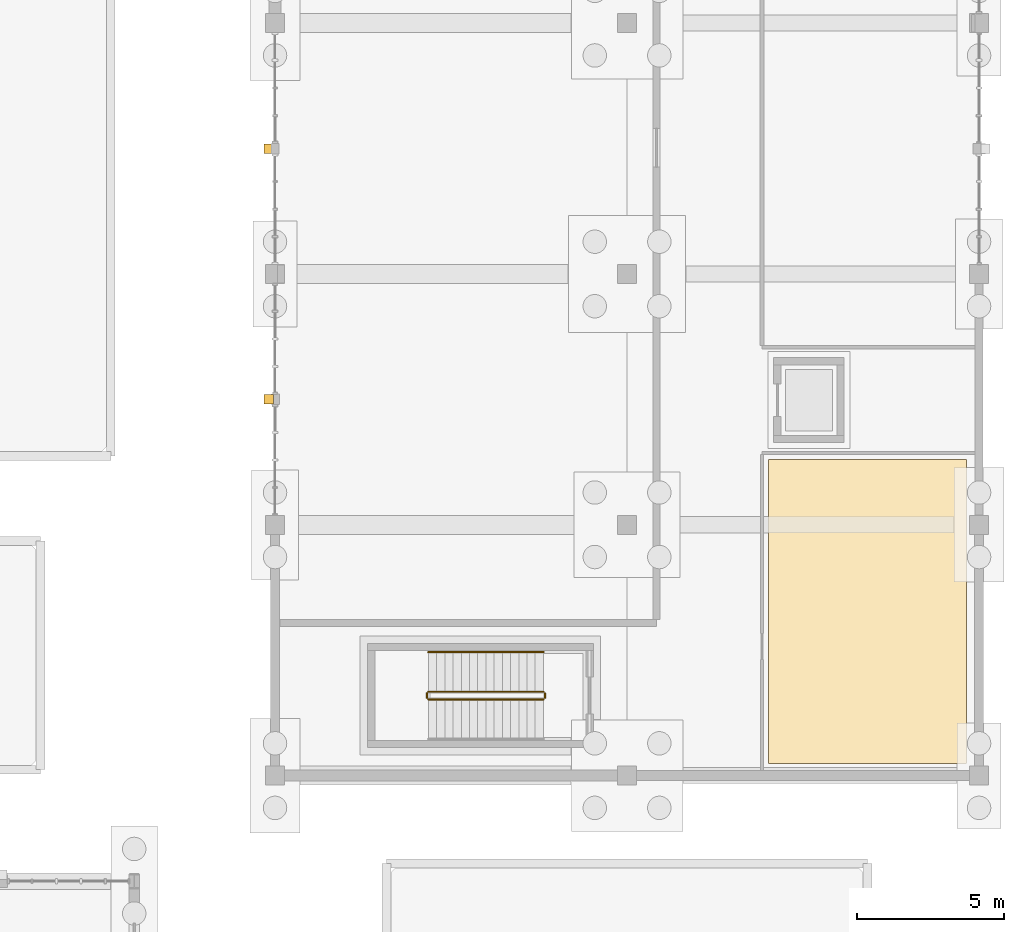
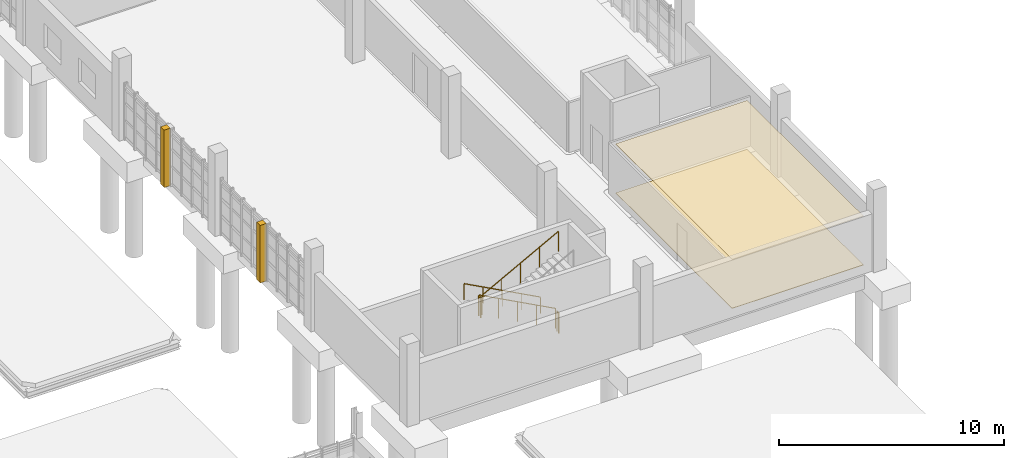
# One storey, part 122 of 125: 5 railings, 4 coverings.
"""IFC4 building model written with IfcOpenShell, lengths in metres."""

from ifc_helpers import new_model, si_unit, direction, frame, origin, origin_2d, place, context, subcontext, project, spatial, polyline, circle, outline, extrude, material, layer, layer_set, type_object, element, save


model = new_model("IFC4")

# Units and contexts
model_context = context("Model", 3, precision=1e-05, world=origin(), true_north=direction((0.0, 1.0)))
body_context = subcontext(model_context, "Body", "Model", "MODEL_VIEW")
ifc_project = project(units=[si_unit("LENGTHUNIT", "METRE"), si_unit("AREAUNIT", "SQUARE_METRE"), si_unit("VOLUMEUNIT", "CUBIC_METRE"), si_unit("PLANEANGLEUNIT", "RADIAN"), si_unit("MASSUNIT", "GRAM", prefix="KILO")], contexts=[model_context])

# Site, building, storey
site_placement = place(None, origin())
site = spatial("IfcSite", under=ifc_project, at=site_placement, CompositionType="ELEMENT")
building_placement = place(site_placement, origin())
building = spatial("IfcBuilding", under=site, at=building_placement, Name="Serraforn Aerial Cableway Station", CompositionType="ELEMENT")
storey_placement = place(building_placement, frame((0.0, 0.0, 4.5)))
storey = spatial("IfcBuildingStorey", under=building, at=storey_placement, Name="L01", CompositionType="ELEMENT", Elevation=4.5)

# Coverings
ifc_material_1 = material(Name="Fluted patinated bronze Art Deco pilaster cladding")
ifc_layer_1 = layer(ifc_material_1, 0.034912109375)
ifc_layer_set_1 = layer_set([ifc_layer_1], Name="Fluted patinated bronze Art Deco pilaster cladding")
covering_type_1 = type_object("IfcCoveringType", Name="COV-CLAD-BRZ", PredefinedType="CLADDING", material=ifc_layer_set_1)
covering_1_placement = place(storey_placement, origin())
element("IfcCovering", 1, at=covering_1_placement, inside=storey, type_object=covering_type_1, Name="Art Deco Bronze Pilaster Cladding EG-L01-W2", PredefinedType="CLADDING", context=body_context, shape_type="SweptSolid", body=[
    extrude(outline(polyline([(143.6201171875, 58.264892578125), (143.93994140625, 58.264892578125), (143.93994140625, 58.5849609375), (143.6201171875, 58.5849609375), (143.6201171875, 58.264892578125)])), origin(), (0.0, 0.0, 1.0), 3.1201171875),
])
covering_2_placement = place(storey_placement, origin())
element("IfcCovering", 2, at=covering_2_placement, inside=storey, type_object=covering_type_1, Name="Art Deco Bronze Pilaster Cladding EG-L01-W3", PredefinedType="CLADDING", context=body_context, shape_type="SweptSolid", body=[
    extrude(outline(polyline([(143.6201171875, 66.81494140625), (143.93994140625, 66.81494140625), (143.93994140625, 67.135009765625), (143.6201171875, 67.135009765625), (143.6201171875, 66.81494140625)])), origin(), (0.0, 0.0, 1.0), 3.1201171875),
])
ifc_material_2 = material(Name="Perforated acoustic mineral ceiling")
ifc_layer_2 = layer(ifc_material_2, 0.02490234375)
ifc_layer_set_2 = layer_set([ifc_layer_2], Name="Perforated acoustic mineral ceiling")
covering_type_2 = type_object("IfcCoveringType", Name="COV-CLG-AC", PredefinedType="CEILING", material=ifc_layer_set_2)
covering_3_placement = place(storey_placement, frame((0.0, 0.0, 2.659912109375)))
element("IfcCovering", 3, at=covering_3_placement, inside=storey, type_object=covering_type_2, Name="Suspended Ceiling L01-23", PredefinedType="CEILING", context=body_context, shape_type="SweptSolid", body=[
    extrude(outline(polyline([(160.820068359375, 46.02001953125), (160.820068359375, 56.3798828125), (167.580078125, 56.3798828125), (167.580078125, 46.02001953125), (160.820068359375, 46.02001953125)])), origin(), (0.0, 0.0, 1.0), 0.025146484375),
])
ifc_material_3 = material(Name="Catalan geometric terrazzo tile flooring")
ifc_layer_3 = layer(ifc_material_3, 0.02490234375)
ifc_layer_set_3 = layer_set([ifc_layer_3], Name="Catalan geometric terrazzo tile flooring")
covering_type_3 = type_object("IfcCoveringType", Name="COV-FLR-TER", PredefinedType="FLOORING", material=ifc_layer_set_3)
covering_4_placement = place(storey_placement, origin())
element("IfcCovering", 4, at=covering_4_placement, inside=storey, type_object=covering_type_3, Name="Flooring L01-23", PredefinedType="FLOORING", context=body_context, shape_type="SweptSolid", body=[
    extrude(outline(polyline([(160.820068359375, 46.02001953125), (160.820068359375, 56.3798828125), (167.580078125, 56.3798828125), (167.580078125, 46.02001953125), (160.820068359375, 46.02001953125)])), origin(), (0.0, 0.0, 1.0), 0.02490234375),
])

# Railings
ifc_material_4 = material(Name="Patinated bronze stair guardrail")
ifc_layer_4 = layer(ifc_material_4, 0.050048828125)
ifc_layer_set_4 = layer_set([ifc_layer_4], Name="Patinated bronze stair guardrail")
railing_type_1 = type_object("IfcRailingType", Name="RL-STR-GRD", PredefinedType="GUARDRAIL", material=ifc_layer_set_4)
railing_1_placement = place(storey_placement, frame((153.14990234375, 48.4599609375, 0.14990234375)))
element("IfcRailing", 5, at=railing_1_placement, inside=storey, type_object=railing_type_1, Name="L01 ST-10 stair guard 1", PredefinedType="GUARDRAIL", context=body_context, shape_type="SweptSolid", body=[
    extrude(circle(Radius=0.02392578125, at=origin_2d()), frame((0.0, 0.0, 1.076171875), z_axis=(-0.881466911329, 0.0, 0.472245787945), x_axis=(0.0, -1.0, 0.0)), (0.0, 0.0, 1.0), 4.447021484375),
    extrude(circle(Radius=0.02099609375, at=origin_2d()), origin(), (0.0, 0.0, 1.0), 1.052001953125),
    extrude(circle(Radius=0.02099609375, at=origin_2d()), frame((-0.97998046875, 0.0, 0.52490234375)), (0.0, 0.0, 1.0), 1.052001953125),
    extrude(circle(Radius=0.02099609375, at=origin_2d()), frame((-1.9599609375, 0.0, 1.050048828125)), (0.0, 0.0, 1.0), 1.052001953125),
    extrude(circle(Radius=0.02099609375, at=origin_2d()), frame((-2.93994140625, 0.0, 1.5751953125)), (0.0, 0.0, 1.0), 1.052001953125),
    extrude(circle(Radius=0.02099609375, at=origin_2d()), frame((-3.919921875, 0.0, 2.10009765625)), (0.0, 0.0, 1.0), 1.052001953125),
])
railing_2_placement = place(storey_placement, frame((149.179931640625, 48.409912109375, 2.25)))
element("IfcRailing", 6, at=railing_2_placement, inside=storey, type_object=railing_type_1, Name="L01 ST-10 stair guard 2", PredefinedType="GUARDRAIL", context=body_context, shape_type="SweptSolid", body=[
    extrude(circle(Radius=0.02392578125, at=origin_2d()), frame((0.0, 0.0, 1.076171875), z_axis=(0.0, -1.0, 0.0), x_axis=(1.0, 0.0, 0.0)), (0.0, 0.0, 1.0), 0.159912109375),
    extrude(circle(Radius=0.02099609375, at=origin_2d()), origin(), (0.0, 0.0, 1.0), 1.052001953125),
    extrude(circle(Radius=0.02099609375, at=origin_2d()), frame((0.0, -0.159912109375, 0.0)), (0.0, 0.0, 1.0), 1.052001953125),
])
railing_3_placement = place(storey_placement, frame((149.22998046875, 48.199951171875, 2.39990234375)))
element("IfcRailing", 7, at=railing_3_placement, inside=storey, type_object=railing_type_1, Name="L01 ST-10 stair guard 3", PredefinedType="GUARDRAIL", context=body_context, shape_type="SweptSolid", body=[
    extrude(circle(Radius=0.02392578125, at=origin_2d()), frame((0.0, 0.0, 1.076171875), z_axis=(0.881466911329, 0.0, 0.472245787945), x_axis=(0.0, 1.0, 0.0)), (0.0, 0.0, 1.0), 4.447021484375),
    extrude(circle(Radius=0.02099609375, at=origin_2d()), origin(), (0.0, 0.0, 1.0), 1.052001953125),
    extrude(circle(Radius=0.02099609375, at=origin_2d()), frame((0.97998046875, 0.0, 0.52490234375)), (0.0, 0.0, 1.0), 1.052001953125),
    extrude(circle(Radius=0.02099609375, at=origin_2d()), frame((1.9599609375, 0.0, 1.050048828125)), (0.0, 0.0, 1.0), 1.052001953125),
    extrude(circle(Radius=0.02099609375, at=origin_2d()), frame((2.93994140625, 0.0, 1.5751953125)), (0.0, 0.0, 1.0), 1.052001953125),
    extrude(circle(Radius=0.02099609375, at=origin_2d()), frame((3.919921875, 0.0, 2.10009765625)), (0.0, 0.0, 1.0), 1.052001953125),
])
railing_4_placement = place(storey_placement, frame((153.199951171875, 48.409912109375, 0.0)))
element("IfcRailing", 8, at=railing_4_placement, inside=storey, type_object=railing_type_1, Name="L01 ST-10 stair guard 4", PredefinedType="GUARDRAIL", context=body_context, shape_type="SweptSolid", body=[
    extrude(circle(Radius=0.02392578125, at=origin_2d()), frame((0.0, 0.0, 1.076171875), z_axis=(0.0, -1.0, 0.0), x_axis=(1.0, 0.0, 0.0)), (0.0, 0.0, 1.0), 0.159912109375),
    extrude(circle(Radius=0.02099609375, at=origin_2d()), origin(), (0.0, 0.0, 1.0), 1.052001953125),
    extrude(circle(Radius=0.02099609375, at=origin_2d()), frame((0.0, -0.159912109375, 0.0)), (0.0, 0.0, 1.0), 1.052001953125),
])
ifc_material_5 = material(Name="Brushed bronze tubular handrail")
ifc_layer_5 = layer(ifc_material_5, 0.048095703125)
ifc_layer_set_5 = layer_set([ifc_layer_5], Name="Brushed bronze tubular handrail")
railing_type_2 = type_object("IfcRailingType", Name="RL-STR-HDR", PredefinedType="HANDRAIL", material=ifc_layer_set_5)
railing_5_placement = place(storey_placement, frame((153.14990234375, 49.81005859375, 0.14990234375)))
element("IfcRailing", 9, at=railing_5_placement, inside=storey, type_object=railing_type_2, Name="L01 ST-10 stair handrail 1", PredefinedType="HANDRAIL", context=body_context, shape_type="SweptSolid", body=[
    extrude(circle(Radius=0.02392578125, at=origin_2d()), frame((0.0, 0.0, 0.8759765625), z_axis=(-0.881466911329, 0.0, 0.472245787945), x_axis=(0.0, -1.0, 0.0)), (0.0, 0.0, 1.0), 4.447021484375),
    extrude(circle(Radius=0.02099609375, at=origin_2d()), origin(), (0.0, 0.0, 1.0), 0.851806640625),
    extrude(circle(Radius=0.02099609375, at=origin_2d()), frame((-0.97998046875, 0.0, 0.52490234375)), (0.0, 0.0, 1.0), 0.851806640625),
    extrude(circle(Radius=0.02099609375, at=origin_2d()), frame((-1.9599609375, 0.0, 1.050048828125)), (0.0, 0.0, 1.0), 0.851806640625),
    extrude(circle(Radius=0.02099609375, at=origin_2d()), frame((-2.93994140625, 0.0, 1.5751953125)), (0.0, 0.0, 1.0), 0.851806640625),
    extrude(circle(Radius=0.02099609375, at=origin_2d()), frame((-3.919921875, 0.0, 2.10009765625)), (0.0, 0.0, 1.0), 0.851806640625),
])

save(model, "model.ifc")
